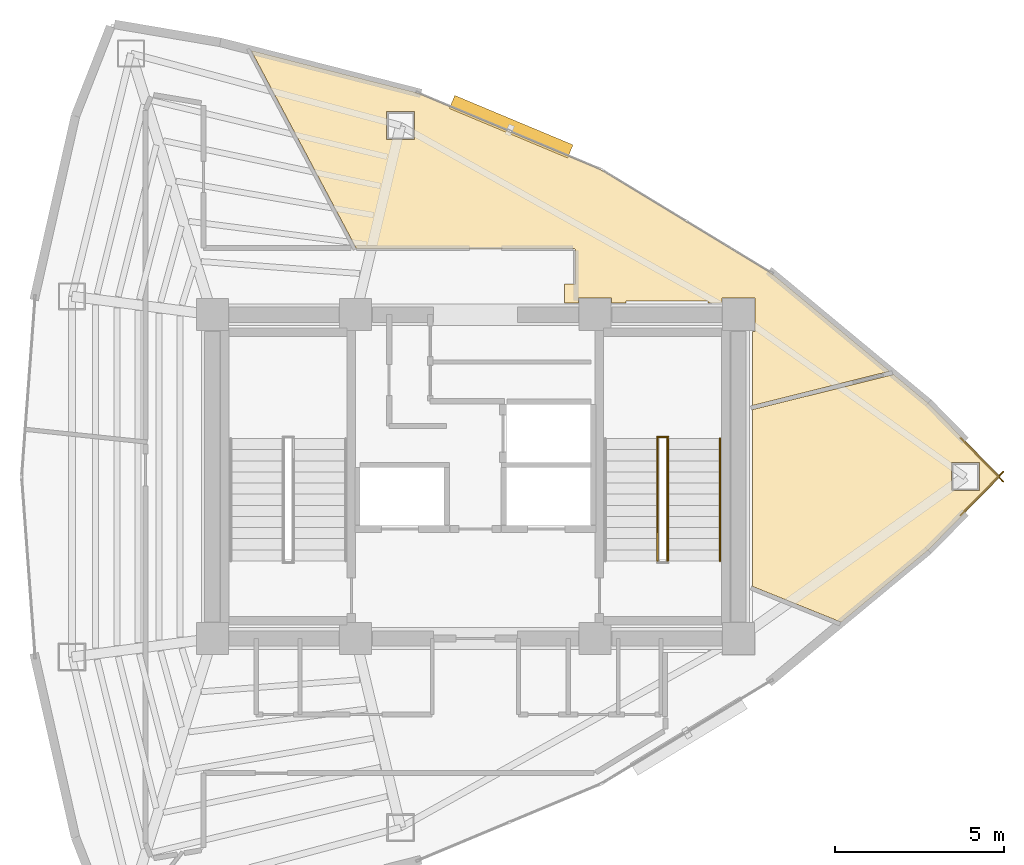
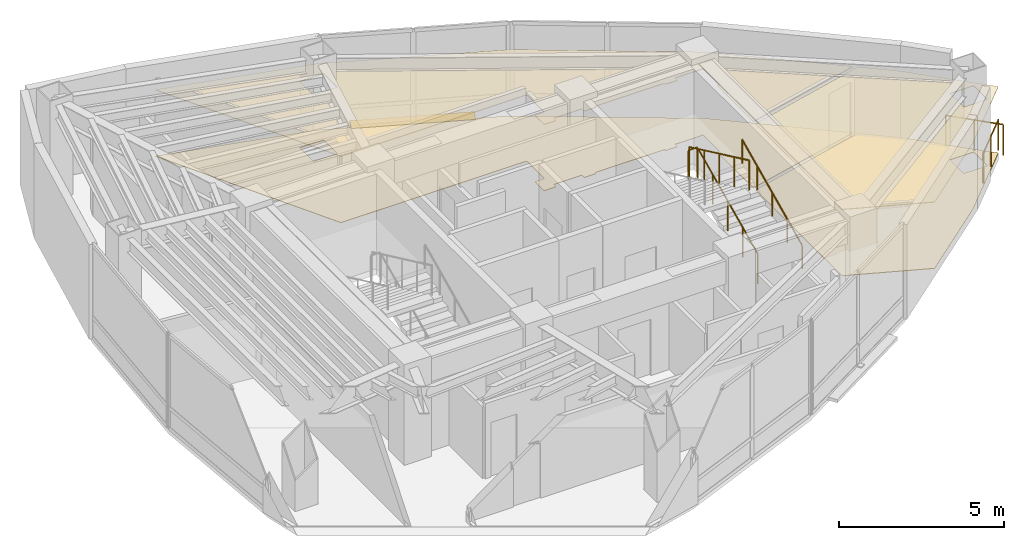
# One storey, part 15 of 15: 6 railings, 4 coverings, 1 shading device.
"""IFC4 building model written with IfcOpenShell, lengths in metres."""

from ifc_helpers import new_model, si_unit, direction, frame, origin, origin_2d, place, context, subcontext, project, spatial, polyline, rectangle, circle, outline, extrude, material, layer, layer_set, type_object, element, save


model = new_model("IFC4")

# Units and contexts
model_context = context("Model", 3, precision=1e-05, world=origin(), true_north=direction((0.0, 1.0)))
body_context = subcontext(model_context, "Body", "Model", "MODEL_VIEW")
ifc_project = project(units=[si_unit("LENGTHUNIT", "METRE"), si_unit("AREAUNIT", "SQUARE_METRE"), si_unit("VOLUMEUNIT", "CUBIC_METRE"), si_unit("PLANEANGLEUNIT", "RADIAN"), si_unit("MASSUNIT", "GRAM", prefix="KILO")], contexts=[model_context])

# Site, building, storey
site_placement = place(None, origin())
site = spatial("IfcSite", under=ifc_project, at=site_placement, CompositionType="ELEMENT")
building_placement = place(site_placement, origin())
building = spatial("IfcBuilding", under=site, at=building_placement, Name="Menara Vayukalpa", CompositionType="ELEMENT")
storey_placement = place(building_placement, frame((0.0, 0.0, 250.860107421875)))
storey = spatial("IfcBuildingStorey", under=building, at=storey_placement, Name="L63", CompositionType="ELEMENT", Elevation=250.860107421875)

# Coverings
ifc_material_1 = material(Name="Mineral Fibre Acoustic Ceiling Tile", Category="masonry")
ifc_layer_1 = layer(ifc_material_1, 0.02490234375)
ifc_layer_set_1 = layer_set([ifc_layer_1], Name="Mineral Fibre Acoustic Ceiling Tile")
covering_type_1 = type_object("IfcCoveringType", Name="COV-CLG1", PredefinedType="CEILING", material=ifc_layer_set_1)
covering_1_placement = place(storey_placement, frame((0.0, 0.0, 2.449951171875)))
element("IfcCovering", 1, at=covering_1_placement, inside=storey, type_object=covering_type_1, Name="L63 Visitor Reception Lounge Acoustic Ceiling", PredefinedType="CEILING", context=body_context, shape_type="SweptSolid", body=[
    extrude(outline(polyline([(41.15087890625, 22.007080078125), (41.151611328125, 22.00634765625), (41.15234375, 22.005615234375), (41.152587890625, 22.004638671875), (41.1533203125, 22.00390625), (41.153564453125, 22.0029296875), (41.15380859375, 22.001953125), (41.15380859375, 22.0009765625), (41.15380859375, 22.0), (41.15380859375, 21.9990234375), (41.15380859375, 21.998046875), (41.153564453125, 21.9970703125), (41.1533203125, 21.99609375), (41.152587890625, 21.995361328125), (41.15234375, 21.994384765625), (41.151611328125, 21.99365234375), (41.15087890625, 21.992919921875), (39.021240234375, 19.82373046875), (39.0205078125, 19.822998046875), (36.446044921875, 17.68798828125), (36.4453125, 17.6875), (36.4443359375, 17.68701171875), (36.443603515625, 17.6865234375), (36.4423828125, 17.686279296875), (36.44140625, 17.68603515625), (36.4404296875, 17.685791015625), (36.439453125, 17.685791015625), (36.4384765625, 17.685791015625), (36.4375, 17.68603515625), (36.4365234375, 17.686279296875), (36.435546875, 17.686767578125), (36.4326171875, 17.68798828125), (33.81640625, 18.7451171875), (33.8154296875, 18.74560546875), (33.814453125, 18.74609375), (33.813720703125, 18.74658203125), (33.81298828125, 18.747314453125), (33.812255859375, 18.748046875), (33.811767578125, 18.748779296875), (33.811279296875, 18.749755859375), (33.810791015625, 18.75048828125), (33.810302734375, 18.75146484375), (33.810302734375, 18.75244140625), (33.81005859375, 18.75341796875), (33.81005859375, 18.75439453125), (33.81005859375, 23.977294921875), (33.81005859375, 23.978271484375), (33.810302734375, 23.979248046875), (33.810302734375, 23.97998046875), (33.810791015625, 23.98095703125), (33.81103515625, 23.98193359375), (33.8115234375, 23.982666015625), (33.81201171875, 23.9833984375), (33.812744140625, 23.984130859375), (33.8134765625, 23.98486328125), (33.814208984375, 23.9853515625), (33.81494140625, 23.98583984375), (33.81591796875, 23.986328125), (33.816650390625, 23.98681640625), (33.817626953125, 23.987060546875), (37.974853515625, 25.0234375), (37.980712890625, 25.025390625), (37.986328125, 25.027587890625), (37.9873046875, 25.028076171875), (37.98828125, 25.0283203125), (37.9892578125, 25.0283203125), (37.990234375, 25.0283203125), (37.9912109375, 25.0283203125), (37.9921875, 25.0283203125), (37.9931640625, 25.028076171875), (37.994140625, 25.027587890625), (37.994873046875, 25.027099609375), (37.995849609375, 25.026611328125), (37.99658203125, 25.026123046875), (39.0205078125, 24.177001953125), (39.021240234375, 24.17626953125), (41.15087890625, 22.007080078125)]), holes=[polyline([(40.536865234375, 22.4150390625), (39.706787109375, 22.4150390625), (39.706787109375, 21.5849609375), (40.536865234375, 21.5849609375), (40.536865234375, 22.4150390625)])]), origin(), (0.0, 0.0, 1.0), 0.02490234375),
])
covering_2_placement = place(storey_placement, frame((0.0, 0.0, 2.449951171875)))
element("IfcCovering", 2, at=covering_2_placement, inside=storey, type_object=covering_type_1, Name="L63 Visitor Reception Lounge Acoustic Ceiling", PredefinedType="CEILING", context=body_context, shape_type="SweptSolid", body=[
    extrude(outline(polyline([(29.639892578125, 27.14990234375), (29.639892578125, 27.2900390625), (28.659912109375, 27.2900390625), (28.659912109375, 27.14990234375), (28.239990234375, 27.14990234375), (28.239990234375, 27.7099609375), (28.570068359375, 27.7099609375), (28.570068359375, 28.69970703125), (28.569580078125, 28.706787109375), (28.568603515625, 28.713623046875), (28.56689453125, 28.72021484375), (28.564697265625, 28.726806640625), (28.561767578125, 28.73291015625), (28.55810546875, 28.73876953125), (28.553955078125, 28.744384765625), (28.549560546875, 28.74951171875), (28.54443359375, 28.75390625), (28.538818359375, 28.75830078125), (28.532958984375, 28.76171875), (28.52685546875, 28.7646484375), (28.520263671875, 28.76708984375), (28.513671875, 28.768798828125), (28.5068359375, 28.76953125), (28.499755859375, 28.77001953125), (22.07421875, 28.77001953125), (22.0732421875, 28.77001953125), (22.072265625, 28.770263671875), (22.0712890625, 28.7705078125), (22.070556640625, 28.770751953125), (22.069580078125, 28.771240234375), (22.068603515625, 28.771728515625), (22.06787109375, 28.772216796875), (22.067138671875, 28.77294921875), (22.066650390625, 28.773681640625), (22.06591796875, 28.7744140625), (22.0654296875, 28.775390625), (18.962158203125, 34.61181640625), (18.961669921875, 34.61279296875), (18.961181640625, 34.61376953125), (18.961181640625, 34.614501953125), (18.9609375, 34.615478515625), (18.9609375, 34.616455078125), (18.9609375, 34.617431640625), (18.961181640625, 34.618408203125), (18.961181640625, 34.619384765625), (18.961669921875, 34.620361328125), (18.9619140625, 34.62109375), (18.96240234375, 34.6220703125), (18.962890625, 34.622802734375), (18.963623046875, 34.62353515625), (18.96435546875, 34.624267578125), (18.965087890625, 34.624755859375), (18.9658203125, 34.625244140625), (18.966796875, 34.625732421875), (18.9677734375, 34.626220703125), (18.968505859375, 34.626220703125), (18.969482421875, 34.62646484375), (18.970458984375, 34.626708984375), (18.971435546875, 34.626708984375), (18.972412109375, 34.62646484375), (18.973388671875, 34.626220703125), (23.877197265625, 33.375732421875), (23.878662109375, 33.375244140625), (29.32568359375, 31.0966796875), (29.326416015625, 31.09619140625), (29.3271484375, 31.095947265625), (34.37353515625, 28.030517578125), (34.374755859375, 28.02978515625), (37.864013671875, 25.135986328125), (37.86474609375, 25.13525390625), (37.865478515625, 25.134521484375), (37.865966796875, 25.1337890625), (37.866455078125, 25.1328125), (37.866943359375, 25.132080078125), (37.8671875, 25.131103515625), (37.867431640625, 25.130126953125), (37.86767578125, 25.129150390625), (37.86767578125, 25.128173828125), (37.867431640625, 25.127197265625), (37.867431640625, 25.126220703125), (37.8671875, 25.125), (37.86669921875, 25.124267578125), (37.8662109375, 25.123291015625), (37.86572265625, 25.122314453125), (37.864990234375, 25.12158203125), (37.864501953125, 25.12109375), (37.863525390625, 25.120361328125), (37.86279296875, 25.11962890625), (37.86181640625, 25.119384765625), (37.861083984375, 25.118896484375), (37.860107421875, 25.11865234375), (33.822509765625, 24.11181640625), (33.8212890625, 24.11181640625), (33.8203125, 24.111572265625), (33.8193359375, 24.111572265625), (33.818359375, 24.11181640625), (33.8173828125, 24.11181640625), (33.81640625, 24.1123046875), (33.8154296875, 24.112548828125), (33.814697265625, 24.113037109375), (33.813720703125, 24.11376953125), (33.81298828125, 24.114501953125), (33.8125, 24.114990234375), (33.811767578125, 24.115966796875), (33.811279296875, 24.11669921875), (33.810791015625, 24.11767578125), (33.810546875, 24.11865234375), (33.810302734375, 24.11962890625), (33.81005859375, 24.12060546875), (33.81005859375, 24.12158203125), (33.81005859375, 26.31005859375), (33.889892578125, 26.31005859375), (33.889892578125, 27.2900390625), (32.909912109375, 27.2900390625), (32.909912109375, 27.14990234375), (32.489990234375, 27.14990234375), (32.489990234375, 27.2099609375), (30.06005859375, 27.2099609375), (30.06005859375, 27.14990234375), (29.639892578125, 27.14990234375)]), holes=[polyline([(23.796875, 32.81982421875), (22.966796875, 32.81982421875), (22.966796875, 31.98974609375), (23.796875, 31.98974609375), (23.796875, 32.81982421875)])]), origin(), (0.0, 0.0, 1.0), 0.02490234375),
])
ifc_material_2 = material(Name="Porcelain Stoneware Floor Tile", Category="masonry")
ifc_layer_2 = layer(ifc_material_2, 0.02001953125)
ifc_layer_set_2 = layer_set([ifc_layer_2], Name="Porcelain Stoneware Floor Tile")
covering_type_2 = type_object("IfcCoveringType", Name="COV-FLR1", PredefinedType="FLOORING", material=ifc_layer_set_2)
covering_3_placement = place(storey_placement, origin())
element("IfcCovering", 3, at=covering_3_placement, inside=storey, type_object=covering_type_2, Name="L63 Visitor Reception Lounge Porcelain Flooring", PredefinedType="FLOORING", context=body_context, shape_type="SweptSolid", body=[
    extrude(outline(polyline([(41.15087890625, 22.007080078125), (41.151611328125, 22.00634765625), (41.15234375, 22.005615234375), (41.152587890625, 22.004638671875), (41.1533203125, 22.00390625), (41.153564453125, 22.0029296875), (41.15380859375, 22.001953125), (41.15380859375, 22.0009765625), (41.15380859375, 22.0), (41.15380859375, 21.9990234375), (41.15380859375, 21.998046875), (41.153564453125, 21.9970703125), (41.1533203125, 21.99609375), (41.152587890625, 21.995361328125), (41.15234375, 21.994384765625), (41.151611328125, 21.99365234375), (41.15087890625, 21.992919921875), (39.021240234375, 19.82373046875), (39.0205078125, 19.822998046875), (36.446044921875, 17.68798828125), (36.4453125, 17.6875), (36.4443359375, 17.68701171875), (36.443603515625, 17.6865234375), (36.4423828125, 17.686279296875), (36.44140625, 17.68603515625), (36.4404296875, 17.685791015625), (36.439453125, 17.685791015625), (36.4384765625, 17.685791015625), (36.4375, 17.68603515625), (36.4365234375, 17.686279296875), (36.435546875, 17.686767578125), (36.4326171875, 17.68798828125), (33.81640625, 18.7451171875), (33.8154296875, 18.74560546875), (33.814453125, 18.74609375), (33.813720703125, 18.74658203125), (33.81298828125, 18.747314453125), (33.812255859375, 18.748046875), (33.811767578125, 18.748779296875), (33.811279296875, 18.749755859375), (33.810791015625, 18.75048828125), (33.810302734375, 18.75146484375), (33.810302734375, 18.75244140625), (33.81005859375, 18.75341796875), (33.81005859375, 18.75439453125), (33.81005859375, 23.977294921875), (33.81005859375, 23.978271484375), (33.810302734375, 23.979248046875), (33.810302734375, 23.97998046875), (33.810791015625, 23.98095703125), (33.81103515625, 23.98193359375), (33.8115234375, 23.982666015625), (33.81201171875, 23.9833984375), (33.812744140625, 23.984130859375), (33.8134765625, 23.98486328125), (33.814208984375, 23.9853515625), (33.81494140625, 23.98583984375), (33.81591796875, 23.986328125), (33.816650390625, 23.98681640625), (33.817626953125, 23.987060546875), (37.974853515625, 25.0234375), (37.980712890625, 25.025390625), (37.986328125, 25.027587890625), (37.9873046875, 25.028076171875), (37.98828125, 25.0283203125), (37.9892578125, 25.0283203125), (37.990234375, 25.0283203125), (37.9912109375, 25.0283203125), (37.9921875, 25.0283203125), (37.9931640625, 25.028076171875), (37.994140625, 25.027587890625), (37.994873046875, 25.027099609375), (37.995849609375, 25.026611328125), (37.99658203125, 25.026123046875), (39.0205078125, 24.177001953125), (39.021240234375, 24.17626953125), (41.15087890625, 22.007080078125)]), holes=[polyline([(40.536865234375, 22.4150390625), (39.706787109375, 22.4150390625), (39.706787109375, 21.5849609375), (40.536865234375, 21.5849609375), (40.536865234375, 22.4150390625)])]), origin(), (0.0, 0.0, 1.0), 0.019775390625),
])
covering_4_placement = place(storey_placement, origin())
element("IfcCovering", 4, at=covering_4_placement, inside=storey, type_object=covering_type_2, Name="L63 Visitor Reception Lounge Porcelain Flooring", PredefinedType="FLOORING", context=body_context, shape_type="SweptSolid", body=[
    extrude(outline(polyline([(29.639892578125, 27.14990234375), (29.639892578125, 27.2900390625), (28.659912109375, 27.2900390625), (28.659912109375, 27.14990234375), (28.239990234375, 27.14990234375), (28.239990234375, 27.7099609375), (28.570068359375, 27.7099609375), (28.570068359375, 28.69970703125), (28.569580078125, 28.706787109375), (28.568603515625, 28.713623046875), (28.56689453125, 28.72021484375), (28.564697265625, 28.726806640625), (28.561767578125, 28.73291015625), (28.55810546875, 28.73876953125), (28.553955078125, 28.744384765625), (28.549560546875, 28.74951171875), (28.54443359375, 28.75390625), (28.538818359375, 28.75830078125), (28.532958984375, 28.76171875), (28.52685546875, 28.7646484375), (28.520263671875, 28.76708984375), (28.513671875, 28.768798828125), (28.5068359375, 28.76953125), (28.499755859375, 28.77001953125), (22.07421875, 28.77001953125), (22.0732421875, 28.77001953125), (22.072265625, 28.770263671875), (22.0712890625, 28.7705078125), (22.070556640625, 28.770751953125), (22.069580078125, 28.771240234375), (22.068603515625, 28.771728515625), (22.06787109375, 28.772216796875), (22.067138671875, 28.77294921875), (22.066650390625, 28.773681640625), (22.06591796875, 28.7744140625), (22.0654296875, 28.775390625), (18.962158203125, 34.61181640625), (18.961669921875, 34.61279296875), (18.961181640625, 34.61376953125), (18.961181640625, 34.614501953125), (18.9609375, 34.615478515625), (18.9609375, 34.616455078125), (18.9609375, 34.617431640625), (18.961181640625, 34.618408203125), (18.961181640625, 34.619384765625), (18.961669921875, 34.620361328125), (18.9619140625, 34.62109375), (18.96240234375, 34.6220703125), (18.962890625, 34.622802734375), (18.963623046875, 34.62353515625), (18.96435546875, 34.624267578125), (18.965087890625, 34.624755859375), (18.9658203125, 34.625244140625), (18.966796875, 34.625732421875), (18.9677734375, 34.626220703125), (18.968505859375, 34.626220703125), (18.969482421875, 34.62646484375), (18.970458984375, 34.626708984375), (18.971435546875, 34.626708984375), (18.972412109375, 34.62646484375), (18.973388671875, 34.626220703125), (23.877197265625, 33.375732421875), (23.878662109375, 33.375244140625), (29.32568359375, 31.0966796875), (29.326416015625, 31.09619140625), (29.3271484375, 31.095947265625), (34.37353515625, 28.030517578125), (34.374755859375, 28.02978515625), (37.864013671875, 25.135986328125), (37.86474609375, 25.13525390625), (37.865478515625, 25.134521484375), (37.865966796875, 25.1337890625), (37.866455078125, 25.1328125), (37.866943359375, 25.132080078125), (37.8671875, 25.131103515625), (37.867431640625, 25.130126953125), (37.86767578125, 25.129150390625), (37.86767578125, 25.128173828125), (37.867431640625, 25.127197265625), (37.867431640625, 25.126220703125), (37.8671875, 25.125), (37.86669921875, 25.124267578125), (37.8662109375, 25.123291015625), (37.86572265625, 25.122314453125), (37.864990234375, 25.12158203125), (37.864501953125, 25.12109375), (37.863525390625, 25.120361328125), (37.86279296875, 25.11962890625), (37.86181640625, 25.119384765625), (37.861083984375, 25.118896484375), (37.860107421875, 25.11865234375), (33.822509765625, 24.11181640625), (33.8212890625, 24.11181640625), (33.8203125, 24.111572265625), (33.8193359375, 24.111572265625), (33.818359375, 24.11181640625), (33.8173828125, 24.11181640625), (33.81640625, 24.1123046875), (33.8154296875, 24.112548828125), (33.814697265625, 24.113037109375), (33.813720703125, 24.11376953125), (33.81298828125, 24.114501953125), (33.8125, 24.114990234375), (33.811767578125, 24.115966796875), (33.811279296875, 24.11669921875), (33.810791015625, 24.11767578125), (33.810546875, 24.11865234375), (33.810302734375, 24.11962890625), (33.81005859375, 24.12060546875), (33.81005859375, 24.12158203125), (33.81005859375, 26.31005859375), (33.889892578125, 26.31005859375), (33.889892578125, 27.2900390625), (32.909912109375, 27.2900390625), (32.909912109375, 27.14990234375), (32.489990234375, 27.14990234375), (32.489990234375, 27.2099609375), (30.06005859375, 27.2099609375), (30.06005859375, 27.14990234375), (29.639892578125, 27.14990234375)]), holes=[polyline([(23.796875, 32.81982421875), (22.966796875, 32.81982421875), (22.966796875, 31.98974609375), (23.796875, 31.98974609375), (23.796875, 32.81982421875)])]), origin(), (0.0, 0.0, 1.0), 0.019775390625),
])

# Railings
ifc_material_3 = material(Name="Laminated Glass and Stainless Steel 316 Guardrail", Category="steel")
railing_type_1 = type_object("IfcRailingType", Name="RLG-EXT115", PredefinedType="GUARDRAIL", material=ifc_material_3)
railing_1_placement = place(storey_placement, frame((39.976318359375, 20.853515625, 0.0)))
element("IfcRailing", 5, at=railing_1_placement, inside=storey, type_object=railing_type_1, Name="L63 Column Corner Spandrel Guardrail 01-1", PredefinedType="GUARDRAIL", context=body_context, shape_type="SweptSolid", body=[
    extrude(circle(Radius=0.02392578125, at=origin_2d()), frame((0.0, 0.0, 1.1259765625), z_axis=(0.700555224103, 0.713598190848, 0.0), x_axis=(-0.713598190848, 0.700555224103, 0.0)), (0.0, 0.0, 1.0), 1.815673828125),
    extrude(circle(Radius=0.02099609375, at=origin_2d()), origin(), (0.0, 0.0, 1.0), 1.101806640625),
    extrude(circle(Radius=0.02099609375, at=origin_2d()), frame((0.635986328125, 0.64794921875, 0.0)), (0.0, 0.0, 1.0), 1.101806640625),
    extrude(circle(Radius=0.02099609375, at=origin_2d()), frame((1.27197265625, 1.295654296875, 0.0)), (0.0, 0.0, 1.0), 1.101806640625),
])
railing_2_placement = place(storey_placement, frame((41.248291015625, 21.850830078125, 0.0)))
element("IfcRailing", 6, at=railing_2_placement, inside=storey, type_object=railing_type_1, Name="L63 Column Corner Spandrel Guardrail 02-1", PredefinedType="GUARDRAIL", context=body_context, shape_type="SweptSolid", body=[
    extrude(circle(Radius=0.02392578125, at=origin_2d()), frame((0.0, 0.0, 1.1259765625), z_axis=(-0.700555224103, 0.713598190848, 0.0), x_axis=(-0.713598190848, -0.700555224103, 0.0)), (0.0, 0.0, 1.0), 1.815673828125),
    extrude(circle(Radius=0.02099609375, at=origin_2d()), origin(), (0.0, 0.0, 1.0), 1.101806640625),
    extrude(circle(Radius=0.02099609375, at=origin_2d()), frame((-0.635986328125, 0.64794921875, 0.0)), (0.0, 0.0, 1.0), 1.101806640625),
    extrude(circle(Radius=0.02099609375, at=origin_2d()), frame((-1.27197265625, 1.295654296875, 0.0)), (0.0, 0.0, 1.0), 1.101806640625),
])
ifc_material_4 = material(Name="Powder-Coated Galvanised Steel Guardrail", Category="steel")
railing_type_2 = type_object("IfcRailingType", Name="RLG-STG110", PredefinedType="GUARDRAIL", material=ifc_material_4)
railing_3_placement = place(storey_placement, frame((31.300048828125, 19.5, 0.15478515625)))
element("IfcRailing", 7, at=railing_3_placement, inside=storey, type_object=railing_type_2, Name="L63 ST-2 stair guard 1", PredefinedType="GUARDRAIL", context=body_context, shape_type="SweptSolid", body=[
    extrude(circle(Radius=0.02392578125, at=origin_2d()), frame((0.0, 0.0, 1.09619140625), z_axis=(0.0, 0.90511648382, 0.425163675209), x_axis=(-1.0, 0.0, 0.0)), (0.0, 0.0, 1.0), 4.010498046875),
    extrude(circle(Radius=0.02099609375, at=origin_2d()), origin(), (0.0, 0.0, 1.0), 1.072021484375),
    extrude(circle(Radius=0.02099609375, at=origin_2d()), frame((0.0, 0.907470703125, 0.42626953125)), (0.0, 0.0, 1.0), 1.072021484375),
    extrude(circle(Radius=0.02099609375, at=origin_2d()), frame((0.0, 1.81494140625, 0.8525390625)), (0.0, 0.0, 1.0), 1.072021484375),
    extrude(circle(Radius=0.02099609375, at=origin_2d()), frame((0.0, 2.722412109375, 1.27880859375)), (0.0, 0.0, 1.0), 1.072021484375),
    extrude(circle(Radius=0.02099609375, at=origin_2d()), frame((0.0, 3.6298828125, 1.705078125)), (0.0, 0.0, 1.0), 1.072021484375),
])
railing_4_placement = place(storey_placement, frame((31.31005859375, 23.179931640625, 1.85986328125)))
element("IfcRailing", 8, at=railing_4_placement, inside=storey, type_object=railing_type_2, Name="L63 ST-2 stair guard 2", PredefinedType="GUARDRAIL", context=body_context, shape_type="SweptSolid", body=[
    extrude(circle(Radius=0.02392578125, at=origin_2d()), frame((0.0, 0.0, 1.09619140625), z_axis=(-1.0, 0.0, 0.0), x_axis=(0.0, -1.0, 0.0)), (0.0, 0.0, 1.0), 0.320068359375),
    extrude(circle(Radius=0.02099609375, at=origin_2d()), origin(), (0.0, 0.0, 1.0), 1.072021484375),
    extrude(circle(Radius=0.02099609375, at=origin_2d()), frame((-0.320068359375, 0.0, 0.0)), (0.0, 0.0, 1.0), 1.072021484375),
])
railing_5_placement = place(storey_placement, frame((31.0, 23.1298828125, 2.014892578125)))
element("IfcRailing", 9, at=railing_5_placement, inside=storey, type_object=railing_type_2, Name="L63 ST-2 stair guard 3", PredefinedType="GUARDRAIL", context=body_context, shape_type="SweptSolid", body=[
    extrude(circle(Radius=0.02392578125, at=origin_2d()), frame((0.0, 0.0, 1.09619140625), z_axis=(0.0, -0.90511648382, 0.425163675209), x_axis=(1.0, 0.0, 0.0)), (0.0, 0.0, 1.0), 4.010498046875),
    extrude(circle(Radius=0.02099609375, at=origin_2d()), origin(), (0.0, 0.0, 1.0), 1.072021484375),
    extrude(circle(Radius=0.02099609375, at=origin_2d()), frame((0.0, -0.907470703125, 0.42626953125)), (0.0, 0.0, 1.0), 1.072021484375),
    extrude(circle(Radius=0.02099609375, at=origin_2d()), frame((0.0, -1.81494140625, 0.8525390625)), (0.0, 0.0, 1.0), 1.072021484375),
    extrude(circle(Radius=0.02099609375, at=origin_2d()), frame((0.0, -2.722412109375, 1.27880859375)), (0.0, 0.0, 1.0), 1.072021484375),
    extrude(circle(Radius=0.02099609375, at=origin_2d()), frame((0.0, -3.6298828125, 1.705078125)), (0.0, 0.0, 1.0), 1.072021484375),
])
ifc_material_5 = material(Name="Stainless Steel 316 Tubular Handrail", Category="steel")
railing_type_3 = type_object("IfcRailingType", Name="RLG-STH090", PredefinedType="HANDRAIL", material=ifc_material_5)
railing_6_placement = place(storey_placement, frame((32.85009765625, 19.5, 0.15478515625)))
element("IfcRailing", 10, at=railing_6_placement, inside=storey, type_object=railing_type_3, Name="L63 ST-2 stair handrail 1", PredefinedType="HANDRAIL", context=body_context, shape_type="SweptSolid", body=[
    extrude(circle(Radius=0.02392578125, at=origin_2d()), frame((0.0, 0.0, 0.8759765625), z_axis=(0.0, 0.90511648382, 0.425163675209), x_axis=(-1.0, 0.0, 0.0)), (0.0, 0.0, 1.0), 4.010498046875),
    extrude(circle(Radius=0.02099609375, at=origin_2d()), origin(), (0.0, 0.0, 1.0), 0.851806640625),
    extrude(circle(Radius=0.02099609375, at=origin_2d()), frame((0.0, 0.907470703125, 0.42626953125)), (0.0, 0.0, 1.0), 0.851806640625),
    extrude(circle(Radius=0.02099609375, at=origin_2d()), frame((0.0, 1.81494140625, 0.8525390625)), (0.0, 0.0, 1.0), 0.851806640625),
    extrude(circle(Radius=0.02099609375, at=origin_2d()), frame((0.0, 2.722412109375, 1.27880859375)), (0.0, 0.0, 1.0), 0.851806640625),
    extrude(circle(Radius=0.02099609375, at=origin_2d()), frame((0.0, 3.6298828125, 1.705078125)), (0.0, 0.0, 1.0), 0.851806640625),
])

# Shading device
ifc_material_6 = material(Name="Glazed Terracotta Ceramic Baguette Extrusion", Category="masonry")
ifc_layer_3 = layer(ifc_material_6, 0.1201171875)
ifc_layer_set_3 = layer_set([ifc_layer_3], Name="Glazed Terracotta Ceramic Baguette Extrusion")
shading_device_type = type_object("IfcShadingDeviceType", Name="SHD-SS1", PredefinedType="USERDEFINED", material=ifc_layer_set_3)
shading_device_placement = place(storey_placement, frame((26.66015625, 32.374267578125, -0.10009765625), z_axis=(0.0, 0.0, 1.0), x_axis=(-0.922538089456, 0.385906042324, 0.0)))
element("IfcShadingDevice", 11, at=shading_device_placement, inside=storey, type_object=shading_device_type, Name="L63 Horizontal Terracotta Sunshade Band 05", ObjectType="SUNSHADE", PredefinedType="USERDEFINED", context=body_context, shape_type="SweptSolid", body=[
    extrude(rectangle(XDim=3.800048828125, YDim=0.419921875, at=origin_2d()), origin(), (0.0, 0.0, 1.0), 0.1201171875),
])

save(model, "model.ifc")
